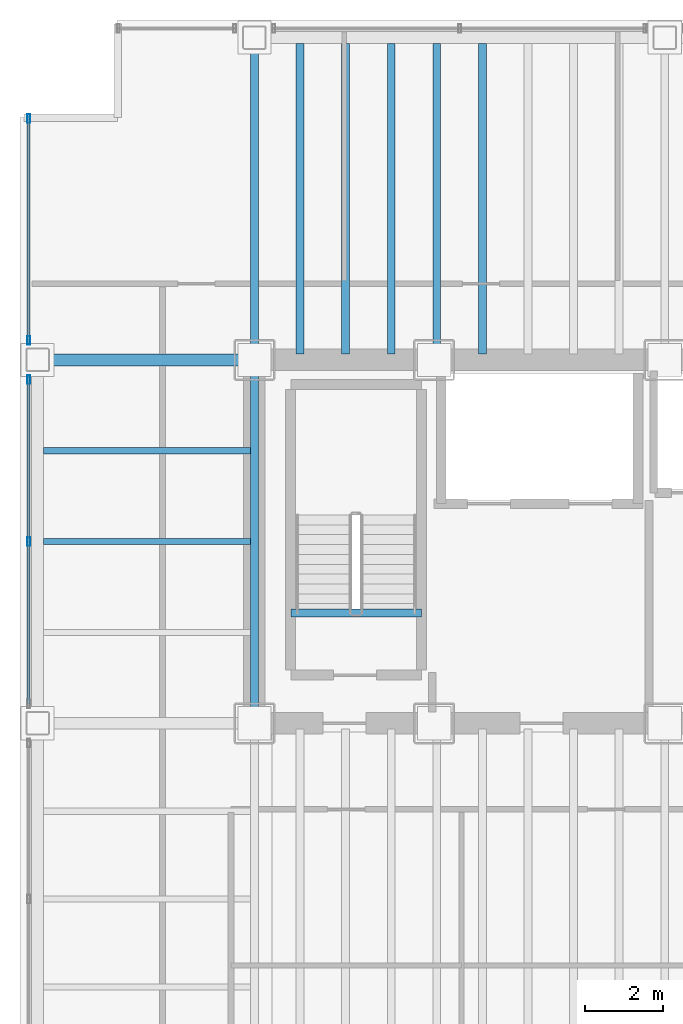
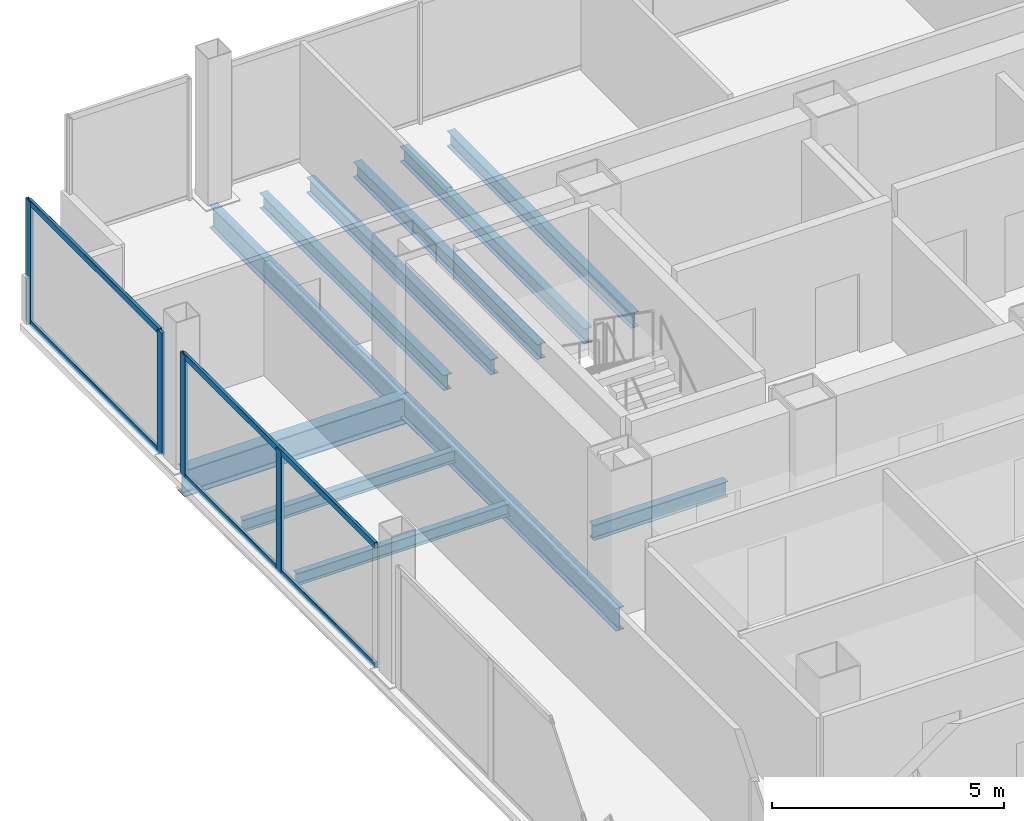
# One storey, part 6 of 20: 11 beams, 8 members, 2 elements without a shape of their own.
"""IFC4 building model written with IfcOpenShell, lengths in metres."""

from ifc_helpers import new_model, si_unit, direction, frame, origin, origin_2d, place, context, subcontext, project, spatial, hollow_rectangle, i_section, extrude, material, material_profile, profile_set, type_object, element, aggregate, save


model = new_model("IFC4")

# Units and contexts
model_context = context("Model", 3, precision=1e-05, world=origin(), true_north=direction((0.0, 1.0)))
body_context = subcontext(model_context, "Body", "Model", "MODEL_VIEW")
ifc_project = project(units=[si_unit("LENGTHUNIT", "METRE"), si_unit("AREAUNIT", "SQUARE_METRE"), si_unit("VOLUMEUNIT", "CUBIC_METRE"), si_unit("PLANEANGLEUNIT", "RADIAN"), si_unit("MASSUNIT", "GRAM", prefix="KILO")], contexts=[model_context])

# Site, building, storey
site_placement = place(None, origin())
site = spatial("IfcSite", under=ifc_project, at=site_placement, CompositionType="ELEMENT")
building_placement = place(site_placement, origin())
building = spatial("IfcBuilding", under=site, at=building_placement, Name="Noeulbin Bourse Tower", CompositionType="ELEMENT")
storey_placement = place(building_placement, frame((0.0, 0.0, 65.5)))
storey = spatial("IfcBuildingStorey", under=building, at=storey_placement, Name="L16", CompositionType="ELEMENT", Elevation=65.5)

# Beams
ifc_material_1 = material(Name="Steel S355", Category="steel")
ifc_material_profile_1 = material_profile(ifc_material_1, i_section(OverallWidth=0.199951171875, OverallDepth=0.60009765625, WebThickness=0.010986328125, FlangeThickness=0.01708984375, FilletRadius=0.02197265625, at=origin_2d()), Name="H-600x200x11x17", Category="LoadBearing")
ifc_profile_set_1 = profile_set([ifc_material_profile_1], Name="Steel S355")
beam_type_1 = type_object("IfcBeamType", Name="BM-GRD-600", PredefinedType="USERDEFINED", material=ifc_profile_set_1)
beam_1_placement = place(storey_placement, frame((13.5, 29.0, -0.47998046875), z_axis=(0.0, 1.0, 0.0), x_axis=(-1.0, 0.0, 0.0)))
element("IfcBeam", 1, at=beam_1_placement, inside=storey, type_object=beam_type_1, Name="Tower Primary Girder NS L16-1.3", ObjectType="GIRDER", PredefinedType="USERDEFINED", context=body_context, shape_type="SweptSolid", body=[
    extrude(i_section(OverallWidth=0.199951171875, OverallDepth=0.60009765625, WebThickness=0.010986328125, FlangeThickness=0.01708984375, FilletRadius=0.02197265625, at=origin_2d()), origin(), (0.0, 0.0, 1.0), 9.300048828125),
])
beam_2_placement = place(storey_placement, frame((13.5, 38.300048828125, -0.47998046875), z_axis=(0.0, 1.0, 0.0), x_axis=(-1.0, 0.0, 0.0)))
element("IfcBeam", 2, at=beam_2_placement, inside=storey, type_object=beam_type_1, Name="Tower Primary Girder NS L16-1.4", ObjectType="GIRDER", PredefinedType="USERDEFINED", context=body_context, shape_type="SweptSolid", body=[
    extrude(i_section(OverallWidth=0.199951171875, OverallDepth=0.60009765625, WebThickness=0.010986328125, FlangeThickness=0.01708984375, FilletRadius=0.02197265625, at=origin_2d()), origin(), (0.0, 0.0, 1.0), 8.25),
])
ifc_material_profile_2 = material_profile(ifc_material_1, i_section(OverallWidth=0.300048828125, OverallDepth=0.699951171875, WebThickness=0.012939453125, FlangeThickness=0.02392578125, FilletRadius=0.02392578125, at=origin_2d()), Name="H-700x300x13x24", Category="LoadBearing")
ifc_profile_set_2 = profile_set([ifc_material_profile_2], Name="Steel S355")
beam_type_2 = type_object("IfcBeamType", Name="BM-GRD-700", PredefinedType="USERDEFINED", material=ifc_profile_set_2)
beam_3_placement = place(storey_placement, frame((7.949951171875, 38.300048828125, -0.530029296875), z_axis=(1.0, 0.0, 0.0), x_axis=(0.0, 1.0, 0.0)))
element("IfcBeam", 3, at=beam_3_placement, inside=storey, type_object=beam_type_2, Name="Tower Primary Girder EW L16-3.1", ObjectType="GIRDER", PredefinedType="USERDEFINED", context=body_context, shape_type="SweptSolid", body=[
    extrude(i_section(OverallWidth=0.300048828125, OverallDepth=0.699951171875, WebThickness=0.012939453125, FlangeThickness=0.02392578125, FilletRadius=0.02392578125, at=origin_2d()), origin(), (0.0, 0.0, 1.0), 5.550048828125),
])
ifc_material_profile_3 = material_profile(ifc_material_1, i_section(OverallWidth=0.159912109375, OverallDepth=0.320068359375, WebThickness=0.006591796875, FlangeThickness=0.010009765625, FilletRadius=0.012939453125, at=origin_2d()), Name="H-320x160x6.5x10", Category="LoadBearing")
ifc_profile_set_3 = profile_set([ifc_material_profile_3], Name="Steel S355")
beam_type_3 = type_object("IfcBeamType", Name="BM-JST-320", PredefinedType="JOIST", material=ifc_profile_set_3)
for number, where, z_axis, x_axis, name in (
    (4, (8.10009765625, 33.64990234375, -0.340087890625), (1.0, 0.0, 0.0), (0.0, 1.0, 0.0), "Wing Composite Joist L16-W74"),
    (5, (8.10009765625, 35.97509765625, -0.340087890625), (1.0, 0.0, 0.0), (0.0, 1.0, 0.0), "Wing Composite Joist L16-W75"),
):
    element("IfcBeam", number, at=place(storey_placement, frame(where, z_axis=z_axis, x_axis=x_axis)), inside=storey, type_object=beam_type_3, Name=name, PredefinedType="JOIST", context=body_context, shape_type="SweptSolid", body=[
        extrude(i_section(OverallWidth=0.159912109375, OverallDepth=0.320068359375, WebThickness=0.006591796875, FlangeThickness=0.010009765625, FilletRadius=0.012939453125, at=origin_2d()), origin(), (0.0, 0.0, 1.0), 5.2998046875),
    ])
ifc_material_profile_4 = material_profile(ifc_material_1, i_section(OverallWidth=0.199951171875, OverallDepth=0.39990234375, WebThickness=0.008056640625, FlangeThickness=0.012939453125, FilletRadius=0.01611328125, at=origin_2d()), Name="H-400x200x8x13", Category="LoadBearing")
ifc_profile_set_4 = profile_set([ifc_material_profile_4], Name="Steel S355")
beam_type_4 = type_object("IfcBeamType", Name="BM-SEC-400", PredefinedType="BEAM", material=ifc_profile_set_4)
for number, where, z_axis, x_axis, name in (
    (6, (14.666748046875, 38.449951171875, -0.3798828125), (0.0, 1.0, 0.0), (-1.0, 0.0, 0.0), "Tower Composite Joist L16-03"),
    (7, (15.833251953125, 38.449951171875, -0.3798828125), (0.0, 1.0, 0.0), (-1.0, 0.0, 0.0), "Tower Composite Joist L16-06"),
    (8, (17.0, 38.449951171875, -0.3798828125), (0.0, 1.0, 0.0), (-1.0, 0.0, 0.0), "Tower Composite Joist L16-09"),
    (9, (18.166748046875, 38.449951171875, -0.3798828125), (0.0, 1.0, 0.0), (-1.0, 0.0, 0.0), "Tower Composite Joist L16-12"),
    (10, (19.333251953125, 38.449951171875, -0.3798828125), (0.0, 1.0, 0.0), (-1.0, 0.0, 0.0), "Tower Composite Joist L16-15"),
):
    element("IfcBeam", number, at=place(storey_placement, frame(where, z_axis=z_axis, x_axis=x_axis)), inside=storey, type_object=beam_type_4, Name=name, PredefinedType="BEAM", context=body_context, shape_type="SweptSolid", body=[
        extrude(i_section(OverallWidth=0.199951171875, OverallDepth=0.39990234375, WebThickness=0.008056640625, FlangeThickness=0.012939453125, FilletRadius=0.01611328125, at=origin_2d()), origin(), (0.0, 0.0, 1.0), 7.949951171875),
    ])
beam_4_placement = place(storey_placement, frame((14.429931640625, 31.820068359375, -0.199951171875), z_axis=(1.0, 0.0, 0.0), x_axis=(0.0, 1.0, 0.0)))
element("IfcBeam", 11, at=beam_4_placement, inside=storey, type_object=beam_type_4, Name="Stair Threshold Trimmer Beam ST1-L16", PredefinedType="BEAM", context=body_context, shape_type="SweptSolid", body=[
    extrude(i_section(OverallWidth=0.199951171875, OverallDepth=0.39990234375, WebThickness=0.008056640625, FlangeThickness=0.012939453125, FilletRadius=0.01611328125, at=origin_2d()), origin(), (0.0, 0.0, 1.0), 3.340087890625),
])

# Curtain wall, members
ifc_material_2 = material(Name="Dark Solar-Control Double Glazing", Category="glass")
curtain_wall_type = type_object("IfcCurtainWallType", Name="CW-SYS-2", PredefinedType="NOTDEFINED", material=ifc_material_2)
curtain_wall_1_placement = place(storey_placement, origin())
curtain_wall_1 = element("IfcCurtainWall", 12, at=curtain_wall_1_placement, inside=storey, type_object=curtain_wall_type, Name="Unitised Curtain Wall CW-L16-W-S3", PredefinedType="NOTDEFINED")
ifc_material_3 = material(Name="Anodised Aluminium 6063-T6", Category="aluminium")
ifc_material_profile_5 = material_profile(ifc_material_3, hollow_rectangle(XDim=0.074951171875, YDim=0.219970703125, WallThickness=0.0048828125, InnerFilletRadius=0.00244140625, OuterFilletRadius=0.0048828125, at=origin_2d()), Name="ALU-MULL-75x220x5", Category="LoadBearing")
ifc_profile_set_5 = profile_set([ifc_material_profile_5], Name="Anodised Aluminium 6063-T6")
member_type_1 = type_object("IfcMemberType", Name="CW-SYS-2-MUL", PredefinedType="MULLION", material=ifc_profile_set_5)
member_1_placement = place(storey_placement, frame((7.719970703125, 33.64990234375, -0.02001953125), z_axis=(0.0, 0.0, 1.0), x_axis=(1.0, 0.0, 0.0)))
member_1 = element("IfcMember", 13, at=member_1_placement, type_object=member_type_1, Name="Curtain Wall Mullion CW-L16-W-S3-M01", PredefinedType="MULLION", context=body_context, shape_type="SweptSolid", body=[
    extrude(hollow_rectangle(XDim=0.074951171875, YDim=0.219970703125, WallThickness=0.0048828125, InnerFilletRadius=0.00244140625, OuterFilletRadius=0.0048828125, at=origin_2d()), origin(), (0.0, 0.0, 1.0), 3.219970703125),
])
member_2_placement = place(storey_placement, frame((7.719970703125, 37.800048828125, -0.02001953125), z_axis=(0.0, 0.0, 1.0), x_axis=(1.0, 0.0, 0.0)))
member_2 = element("IfcMember", 14, at=member_2_placement, type_object=member_type_1, Name="Curtain Wall Mullion CW-L16-W-S3-M02", PredefinedType="MULLION", context=body_context, shape_type="SweptSolid", body=[
    extrude(hollow_rectangle(XDim=0.074951171875, YDim=0.219970703125, WallThickness=0.0048828125, InnerFilletRadius=0.00244140625, OuterFilletRadius=0.0048828125, at=origin_2d()), origin(), (0.0, 0.0, 1.0), 3.219970703125),
])

curtain_wall_2_placement = place(storey_placement, origin())
curtain_wall_2 = element("IfcCurtainWall", 15, at=curtain_wall_2_placement, inside=storey, type_object=curtain_wall_type, Name="Unitised Curtain Wall CW-L16-W-S4", PredefinedType="NOTDEFINED")
member_3_placement = place(storey_placement, frame((7.719970703125, 38.800048828125, -0.02001953125), z_axis=(0.0, 0.0, 1.0), x_axis=(1.0, 0.0, 0.0)))
member_3 = element("IfcMember", 16, at=member_3_placement, type_object=member_type_1, Name="Curtain Wall Mullion CW-L16-W-S4-M00", PredefinedType="MULLION", context=body_context, shape_type="SweptSolid", body=[
    extrude(hollow_rectangle(XDim=0.074951171875, YDim=0.219970703125, WallThickness=0.0048828125, InnerFilletRadius=0.00244140625, OuterFilletRadius=0.0048828125, at=origin_2d()), origin(), (0.0, 0.0, 1.0), 3.219970703125),
])
member_4_placement = place(storey_placement, frame((7.719970703125, 44.47998046875, -0.02001953125), z_axis=(0.0, 0.0, 1.0), x_axis=(1.0, 0.0, 0.0)))
member_4 = element("IfcMember", 17, at=member_4_placement, type_object=member_type_1, Name="Curtain Wall Mullion CW-L16-W-S4-M01", PredefinedType="MULLION", context=body_context, shape_type="SweptSolid", body=[
    extrude(hollow_rectangle(XDim=0.074951171875, YDim=0.219970703125, WallThickness=0.0048828125, InnerFilletRadius=0.00244140625, OuterFilletRadius=0.0048828125, at=origin_2d()), origin(), (0.0, 0.0, 1.0), 3.219970703125),
])

# Member
ifc_material_profile_6 = material_profile(ifc_material_3, hollow_rectangle(XDim=0.074951171875, YDim=0.159912109375, WallThickness=0.0048828125, InnerFilletRadius=0.00244140625, OuterFilletRadius=0.0048828125, at=origin_2d()), Name="ALU-TRAN-75x160x5", Category="LoadBearing")
ifc_profile_set_6 = profile_set([ifc_material_profile_6], Name="Anodised Aluminium 6063-T6")
member_type_2 = type_object("IfcMemberType", Name="CW-SYS-2-TRN", PredefinedType="USERDEFINED", material=ifc_profile_set_6)
member_5_placement = place(storey_placement, frame((7.719970703125, 29.510009765625, 0.010009765625), z_axis=(0.0, 1.0, 0.0), x_axis=(-1.0, 0.0, 0.0)))
member_5 = element("IfcMember", 18, at=member_5_placement, type_object=member_type_2, Name="Curtain Wall Transom CW-L16-W-S3-T00", ObjectType="TRANSOM", PredefinedType="USERDEFINED", context=body_context, shape_type="SweptSolid", body=[
    extrude(hollow_rectangle(XDim=0.074951171875, YDim=0.159912109375, WallThickness=0.0048828125, InnerFilletRadius=0.00244140625, OuterFilletRadius=0.0048828125, at=origin_2d()), origin(), (0.0, 0.0, 1.0), 8.280029296875),
])

member_6_placement = place(storey_placement, frame((7.719970703125, 29.510009765625, 3.169921875), z_axis=(0.0, 1.0, 0.0), x_axis=(-1.0, 0.0, 0.0)))
member_6 = element("IfcMember", 19, at=member_6_placement, type_object=member_type_2, Name="Curtain Wall Transom CW-L16-W-S3-T01", ObjectType="TRANSOM", PredefinedType="USERDEFINED", context=body_context, shape_type="SweptSolid", body=[
    extrude(hollow_rectangle(XDim=0.074951171875, YDim=0.159912109375, WallThickness=0.0048828125, InnerFilletRadius=0.00244140625, OuterFilletRadius=0.0048828125, at=origin_2d()), origin(), (0.0, 0.0, 1.0), 8.280029296875),
])

aggregate(curtain_wall_1, [member_1, member_2, member_5, member_6])

member_7_placement = place(storey_placement, frame((7.719970703125, 38.81005859375, 0.010009765625), z_axis=(0.0, 1.0, 0.0), x_axis=(-1.0, 0.0, 0.0)))
member_7 = element("IfcMember", 20, at=member_7_placement, type_object=member_type_2, Name="Curtain Wall Transom CW-L16-W-S4-T00", ObjectType="TRANSOM", PredefinedType="USERDEFINED", context=body_context, shape_type="SweptSolid", body=[
    extrude(hollow_rectangle(XDim=0.074951171875, YDim=0.159912109375, WallThickness=0.0048828125, InnerFilletRadius=0.00244140625, OuterFilletRadius=0.0048828125, at=origin_2d()), origin(), (0.0, 0.0, 1.0), 5.659912109375),
])

member_8_placement = place(storey_placement, frame((7.719970703125, 38.81005859375, 3.169921875), z_axis=(0.0, 1.0, 0.0), x_axis=(-1.0, 0.0, 0.0)))
member_8 = element("IfcMember", 21, at=member_8_placement, type_object=member_type_2, Name="Curtain Wall Transom CW-L16-W-S4-T01", ObjectType="TRANSOM", PredefinedType="USERDEFINED", context=body_context, shape_type="SweptSolid", body=[
    extrude(hollow_rectangle(XDim=0.074951171875, YDim=0.159912109375, WallThickness=0.0048828125, InnerFilletRadius=0.00244140625, OuterFilletRadius=0.0048828125, at=origin_2d()), origin(), (0.0, 0.0, 1.0), 5.659912109375),
])

aggregate(curtain_wall_2, [member_3, member_4, member_7, member_8])

save(model, "model.ifc")
